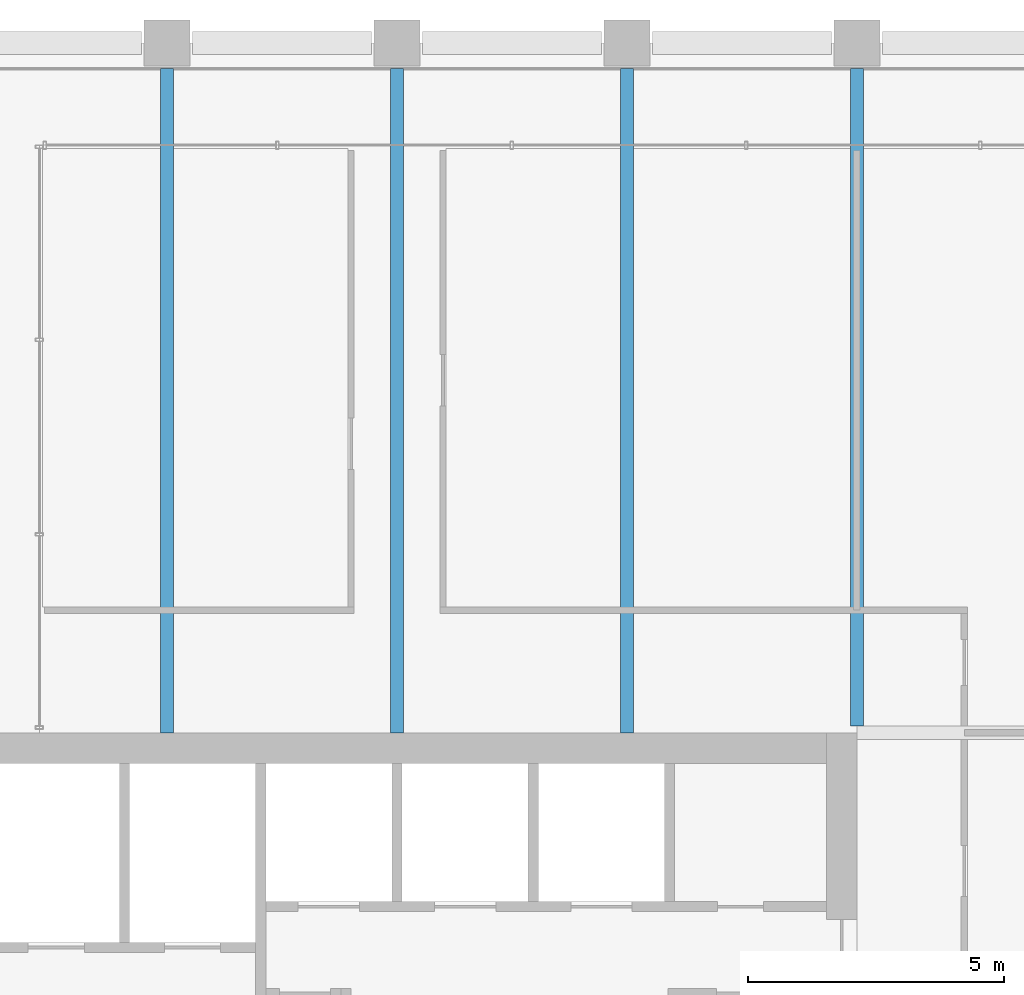
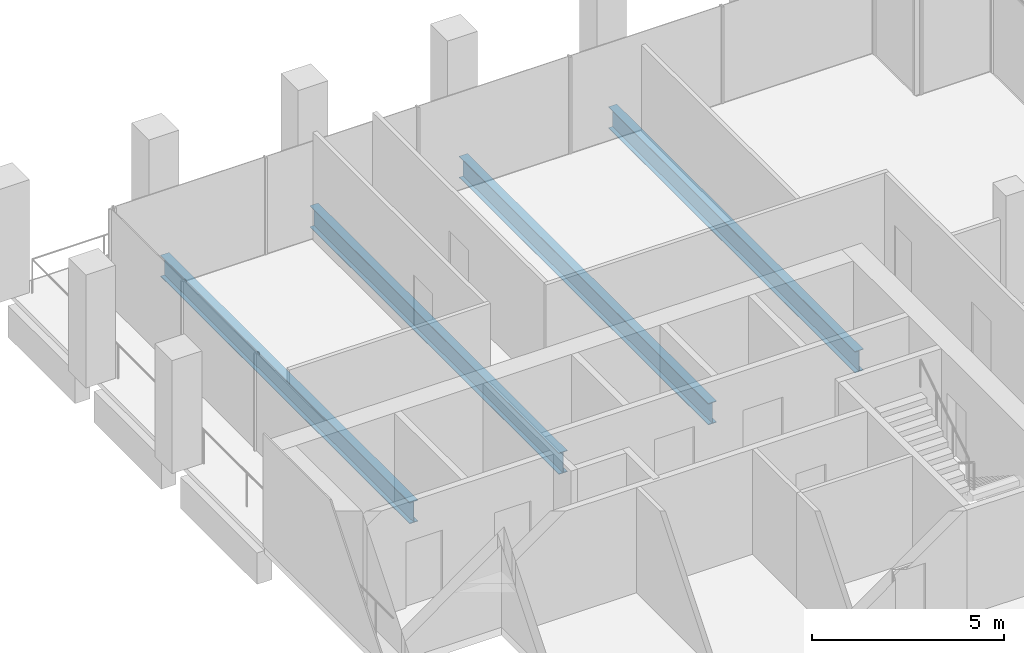
# One storey, part 22 of 44: 4 beams.
"""IFC4 building model written with IfcOpenShell, lengths in metres."""

from ifc_helpers import new_model, si_unit, direction, frame, origin, origin_2d, place, context, subcontext, project, spatial, i_section, extrude, material, material_profile, profile_set, type_object, element, save


model = new_model("IFC4")

# Units and contexts
model_context = context("Model", 3, precision=1e-05, world=origin(), true_north=direction((0.0, 1.0)))
body_context = subcontext(model_context, "Body", "Model", "MODEL_VIEW")
ifc_project = project(units=[si_unit("LENGTHUNIT", "METRE"), si_unit("AREAUNIT", "SQUARE_METRE"), si_unit("VOLUMEUNIT", "CUBIC_METRE"), si_unit("PLANEANGLEUNIT", "RADIAN"), si_unit("MASSUNIT", "GRAM", prefix="KILO")], contexts=[model_context])

# Site, building, storey
site_placement = place(None, origin())
site = spatial("IfcSite", under=ifc_project, at=site_placement, CompositionType="ELEMENT")
building_placement = place(site_placement, origin())
building = spatial("IfcBuilding", under=site, at=building_placement, Name="Altepetl Exchange Towers", CompositionType="ELEMENT")
storey_placement = place(building_placement, frame((0.0, 0.0, 143.800048828125)))
storey = spatial("IfcBuildingStorey", under=building, at=storey_placement, Name="L35", CompositionType="ELEMENT", Elevation=143.800048828125)

# Beams
ifc_material = material(Name="Steel S355", Category="steel")
ifc_material_profile = material_profile(ifc_material, i_section(OverallWidth=0.25390625, OverallDepth=0.68408203125, WebThickness=0.012451171875, FlangeThickness=0.018798828125, at=origin_2d()), Name="W27X94")
ifc_profile_set = profile_set([ifc_material_profile], Name="Steel S355")
beam_type = type_object("IfcBeamType", Name="Floor beam W27X94", PredefinedType="BEAM", material=ifc_profile_set)
for number, where, z_axis, x_axis, name in (
    (1, (45.0, 58.5, -0.491943359375), (0.0, 1.0, 0.0), (-1.0, 0.0, 0.0), "bm:A:L35:000"),
    (2, (49.5, 58.5, -0.491943359375), (0.0, 1.0, 0.0), (-1.0, 0.0, 0.0), "bm:A:L35:001"),
    (3, (54.0, 58.5, -0.491943359375), (0.0, 1.0, 0.0), (-1.0, 0.0, 0.0), "bm:A:L35:002"),
):
    element("IfcBeam", number, at=place(storey_placement, frame(where, z_axis=z_axis, x_axis=x_axis)), inside=storey, type_object=beam_type, Name=name, PredefinedType="BEAM", context=body_context, shape_type="SweptSolid", body=[
        extrude(i_section(OverallWidth=0.25390625, OverallDepth=0.68408203125, WebThickness=0.012451171875, FlangeThickness=0.018798828125, at=origin_2d()), origin(), (0.0, 0.0, 1.0), 13.0),
    ])
beam_placement = place(storey_placement, frame((58.5, 58.634033203125, -0.491943359375), z_axis=(0.0, 1.0, 0.0), x_axis=(-1.0, 0.0, 0.0)))
element("IfcBeam", 4, at=beam_placement, inside=storey, type_object=beam_type, Name="bm:A:L35:003", PredefinedType="BEAM", context=body_context, shape_type="SweptSolid", body=[
    extrude(i_section(OverallWidth=0.25390625, OverallDepth=0.68408203125, WebThickness=0.012451171875, FlangeThickness=0.018798828125, at=origin_2d()), origin(), (0.0, 0.0, 1.0), 12.865966796875),
])

save(model, "model.ifc")
